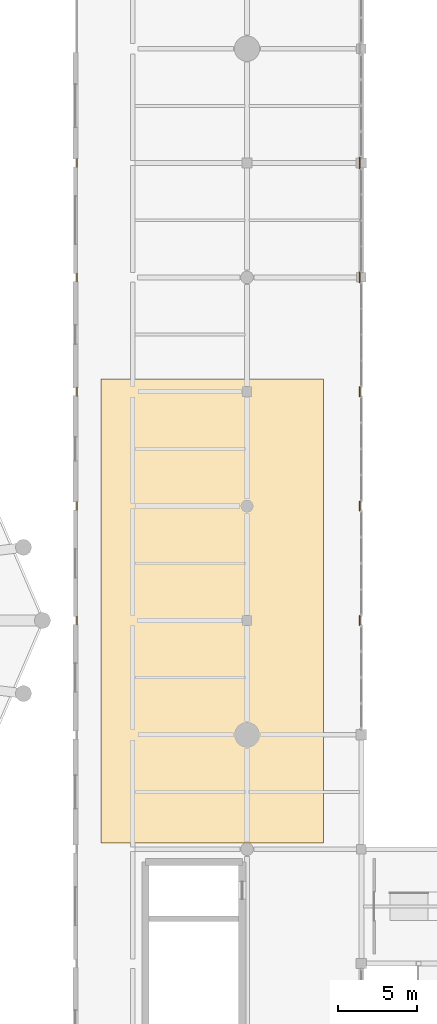
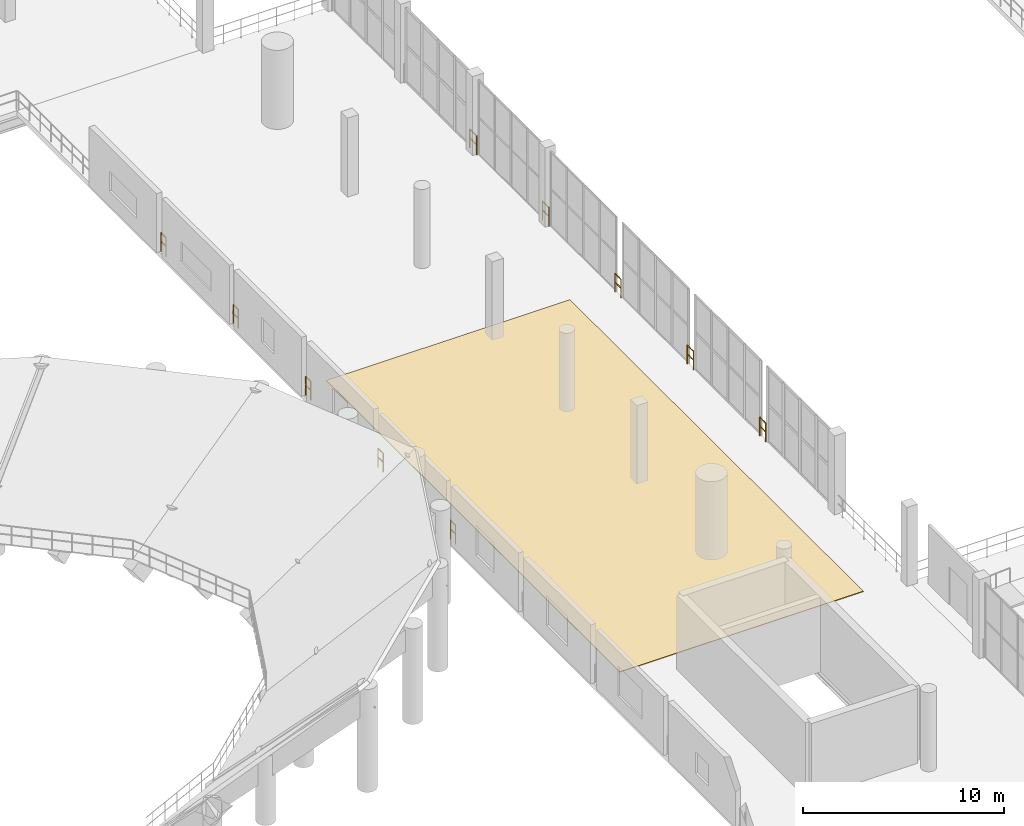
# One storey, part 101 of 105: 10 railings, 1 covering.
"""IFC4 building model written with IfcOpenShell, lengths in metres."""

from ifc_helpers import new_model, si_unit, direction, frame, origin, origin_2d, place, context, subcontext, project, spatial, polyline, circle, outline, extrude, material, layer, layer_set, type_object, element, save


model = new_model("IFC4")

# Units and contexts
model_context = context("Model", 3, precision=1e-05, world=origin(), true_north=direction((0.0, 1.0)))
body_context = subcontext(model_context, "Body", "Model", "MODEL_VIEW")
ifc_project = project(units=[si_unit("LENGTHUNIT", "METRE"), si_unit("AREAUNIT", "SQUARE_METRE"), si_unit("VOLUMEUNIT", "CUBIC_METRE"), si_unit("PLANEANGLEUNIT", "RADIAN"), si_unit("MASSUNIT", "GRAM", prefix="KILO")], contexts=[model_context])

# Site, building, storey
site_placement = place(None, origin())
site = spatial("IfcSite", under=ifc_project, at=site_placement, CompositionType="ELEMENT")
building_placement = place(site_placement, origin())
building = spatial("IfcBuilding", under=site, at=building_placement, Name="Qandorah Velis Arena", CompositionType="ELEMENT")
storey_placement = place(building_placement, frame((0.0, 0.0, 13.800048828125)))
storey = spatial("IfcBuildingStorey", under=building, at=storey_placement, Name="L03", CompositionType="ELEMENT", Elevation=13.800048828125)

# Covering
ifc_material_1 = material(Name="Polished Riyadh limestone terrazzo flooring", Category="masonry")
ifc_layer = layer(ifc_material_1, 0.034912109375)
ifc_layer_set = layer_set([ifc_layer], Name="Polished Riyadh limestone terrazzo flooring")
covering_type = type_object("IfcCoveringType", Name="ARC-COV-FLOOR", PredefinedType="FLOORING", material=ifc_layer_set)
covering_placement = place(storey_placement, origin())
element("IfcCovering", 1, at=covering_placement, inside=storey, type_object=covering_type, Name="Polished terrazzo concourse flooring TF-05", PredefinedType="FLOORING", context=body_context, shape_type="SweptSolid", body=[
    extrude(outline(polyline([(106.0, 50.800048828125), (120.0, 50.800048828125), (120.0, 80.0), (106.0, 80.0), (106.0, 50.800048828125)])), origin(), (0.0, 0.0, 1.0), 0.034912109375),
])

# Railings
ifc_material_2 = material(Name="Stainless steel 316", Category="steel")
railing_type = type_object("IfcRailingType", Name="ARC-RL-GRD1150", PredefinedType="GUARDRAIL", material=ifc_material_2)
railing_1_placement = place(storey_placement, frame((122.300048828125, 93.949951171875, 0.0)))
element("IfcRailing", 2, at=railing_1_placement, inside=storey, type_object=railing_type, Name="Slab edge safety guardrail L03-186", PredefinedType="GUARDRAIL", context=body_context, shape_type="SweptSolid", body=[
    extrude(circle(Radius=0.02392578125, at=origin_2d()), frame((0.0, 0.0, 1.1259765625), z_axis=(0.0, -1.0, 0.0), x_axis=(1.0, 0.0, 0.0)), (0.0, 0.0, 1.0), 0.699951171875),
    extrude(circle(Radius=0.02392578125, at=origin_2d()), frame((0.0, 0.0, 0.597900390625), z_axis=(0.0, -1.0, 0.0), x_axis=(1.0, 0.0, 0.0)), (0.0, 0.0, 1.0), 0.699951171875),
    extrude(circle(Radius=0.02099609375, at=origin_2d()), origin(), (0.0, 0.0, 1.0), 1.101806640625),
    extrude(circle(Radius=0.02099609375, at=origin_2d()), frame((0.0, -0.699951171875, 0.0)), (0.0, 0.0, 1.0), 1.101806640625),
])
railing_2_placement = place(storey_placement, frame((122.300048828125, 86.72509765625, 0.0)))
element("IfcRailing", 3, at=railing_2_placement, inside=storey, type_object=railing_type, Name="Slab edge safety guardrail L03-187", PredefinedType="GUARDRAIL", context=body_context, shape_type="SweptSolid", body=[
    extrude(circle(Radius=0.02392578125, at=origin_2d()), frame((0.0, 0.0, 1.1259765625), z_axis=(0.0, -1.0, 0.0), x_axis=(1.0, 0.0, 0.0)), (0.0, 0.0, 1.0), 0.650146484375),
    extrude(circle(Radius=0.02392578125, at=origin_2d()), frame((0.0, 0.0, 0.597900390625), z_axis=(0.0, -1.0, 0.0), x_axis=(1.0, 0.0, 0.0)), (0.0, 0.0, 1.0), 0.650146484375),
    extrude(circle(Radius=0.02099609375, at=origin_2d()), origin(), (0.0, 0.0, 1.0), 1.101806640625),
    extrude(circle(Radius=0.02099609375, at=origin_2d()), frame((0.0, -0.650146484375, 0.0)), (0.0, 0.0, 1.0), 1.101806640625),
])
for number, where, name in (
    (4, (122.300048828125, 79.5, 0.0), "Slab edge safety guardrail L03-188"),
    (5, (122.300048828125, 72.300048828125, 0.0), "Slab edge safety guardrail L03-189"),
    (6, (122.300048828125, 65.10009765625, 0.0), "Slab edge safety guardrail L03-190"),
):
    element("IfcRailing", number, at=place(storey_placement, frame(where)), inside=storey, type_object=railing_type, Name=name, PredefinedType="GUARDRAIL", context=body_context, shape_type="SweptSolid", body=[
        extrude(circle(Radius=0.02392578125, at=origin_2d()), frame((0.0, 0.0, 1.1259765625), z_axis=(0.0, -1.0, 0.0), x_axis=(1.0, 0.0, 0.0)), (0.0, 0.0, 1.0), 0.60009765625),
        extrude(circle(Radius=0.02392578125, at=origin_2d()), frame((0.0, 0.0, 0.597900390625), z_axis=(0.0, -1.0, 0.0), x_axis=(1.0, 0.0, 0.0)), (0.0, 0.0, 1.0), 0.60009765625),
        extrude(circle(Radius=0.02099609375, at=origin_2d()), origin(), (0.0, 0.0, 1.0), 1.101806640625),
        extrude(circle(Radius=0.02099609375, at=origin_2d()), frame((0.0, -0.60009765625, 0.0)), (0.0, 0.0, 1.0), 1.101806640625),
    ])
for number, where, name in (
    (7, (104.5, 64.550048828125, 0.0), "Slab edge safety guardrail L03-217"),
    (8, (104.5, 71.75, 0.0), "Slab edge safety guardrail L03-218"),
    (9, (104.5, 78.949951171875, 0.0), "Slab edge safety guardrail L03-219"),
    (10, (104.5, 86.14990234375, 0.0), "Slab edge safety guardrail L03-220"),
    (11, (104.5, 93.35009765625, 0.0), "Slab edge safety guardrail L03-221"),
):
    element("IfcRailing", number, at=place(storey_placement, frame(where)), inside=storey, type_object=railing_type, Name=name, PredefinedType="GUARDRAIL", context=body_context, shape_type="SweptSolid", body=[
        extrude(circle(Radius=0.02392578125, at=origin_2d()), frame((0.0, 0.0, 1.1259765625), z_axis=(0.0, 1.0, 0.0), x_axis=(-1.0, 0.0, 0.0)), (0.0, 0.0, 1.0), 0.5),
        extrude(circle(Radius=0.02392578125, at=origin_2d()), frame((0.0, 0.0, 0.597900390625), z_axis=(0.0, 1.0, 0.0), x_axis=(-1.0, 0.0, 0.0)), (0.0, 0.0, 1.0), 0.5),
        extrude(circle(Radius=0.02099609375, at=origin_2d()), origin(), (0.0, 0.0, 1.0), 1.101806640625),
        extrude(circle(Radius=0.02099609375, at=origin_2d()), frame((0.0, 0.5, 0.0)), (0.0, 0.0, 1.0), 1.101806640625),
    ])

save(model, "model.ifc")
